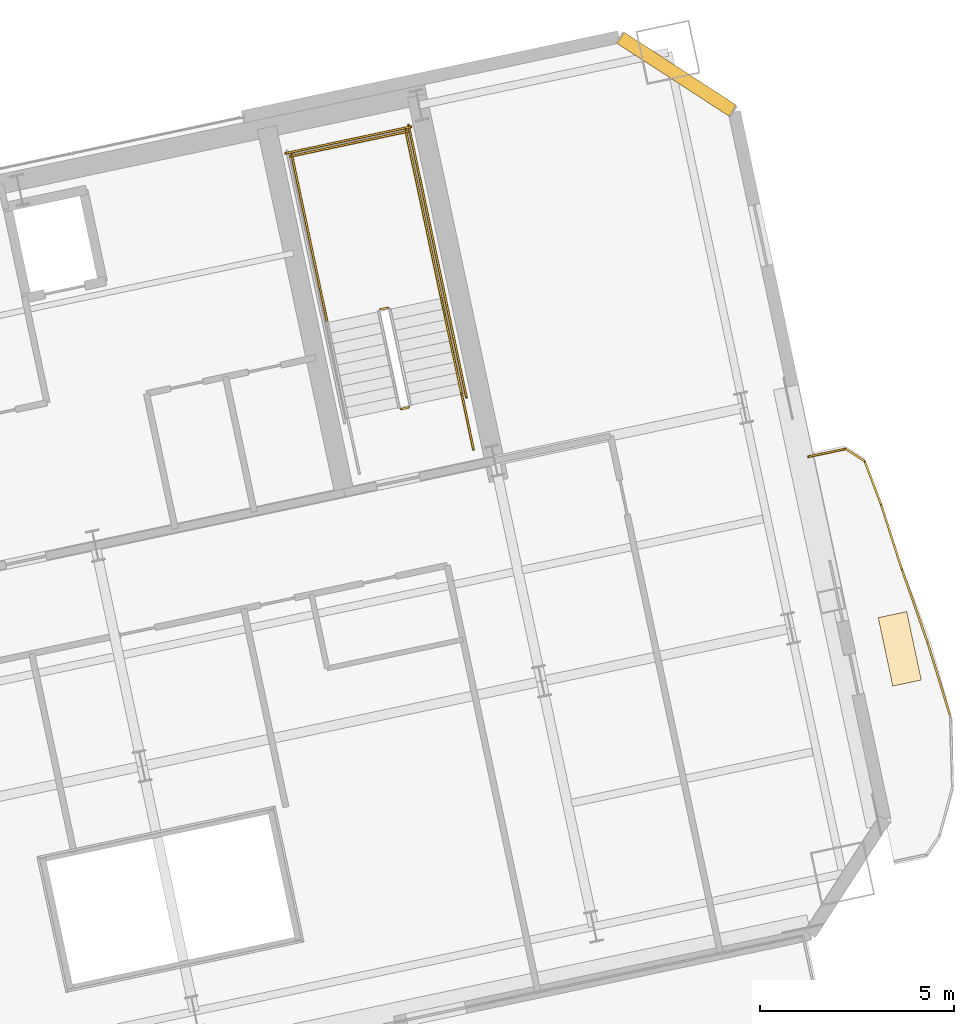
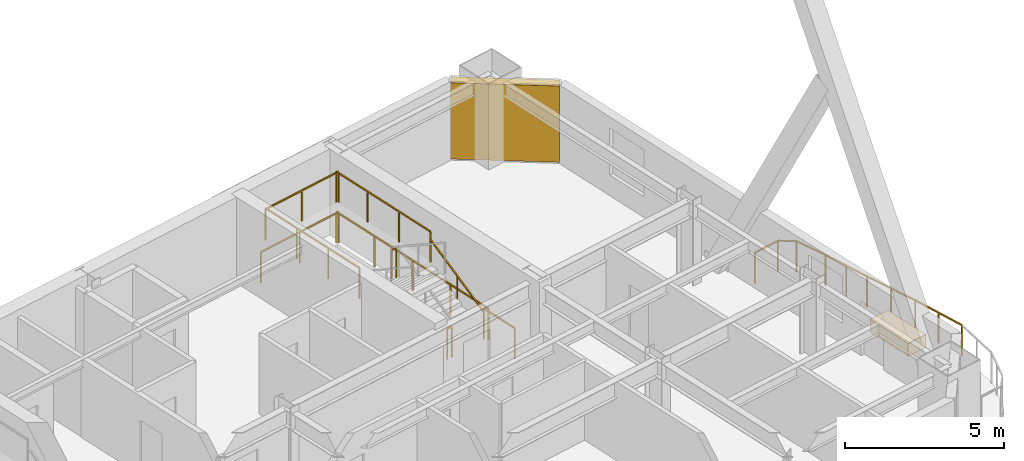
# One storey, part 22 of 22: 15 railings, 1 covering, 1 shading device.
"""IFC4 building model written with IfcOpenShell, lengths in metres."""

from ifc_helpers import new_model, si_unit, direction, frame, origin, origin_2d, place, context, subcontext, project, spatial, rectangle, extrude, material, layer, layer_set, type_object, element, save


model = new_model("IFC4")

# Units and contexts
model_context = context("Model", 3, precision=1e-05, world=origin(), true_north=direction((0.0, 1.0)))
body_context = subcontext(model_context, "Body", "Model", "MODEL_VIEW")
ifc_project = project(units=[si_unit("LENGTHUNIT", "METRE"), si_unit("AREAUNIT", "SQUARE_METRE"), si_unit("VOLUMEUNIT", "CUBIC_METRE"), si_unit("PLANEANGLEUNIT", "RADIAN"), si_unit("MASSUNIT", "GRAM", prefix="KILO")], contexts=[model_context])

# Site, building, storey
site_placement = place(None, origin())
site = spatial("IfcSite", under=ifc_project, at=site_placement, CompositionType="ELEMENT")
building_placement = place(site_placement, origin())
building = spatial("IfcBuilding", under=site, at=building_placement, Name="Haevon Station Towers", CompositionType="ELEMENT")
storey_placement = place(building_placement, frame((0.0, 0.0, 113.10009765625)))
storey = spatial("IfcBuildingStorey", under=building, at=storey_placement, Name="L30", CompositionType="ELEMENT", Elevation=113.10009765625)

# Railings
ifc_material_1 = material(Name="Steel S355", Category="steel")
railing_type_1 = type_object("IfcRailingType", Name="GRD-EXT1200", PredefinedType="GUARDRAIL", material=ifc_material_1)
railing_1_placement = place(storey_placement, frame((131.02490234375, 35.209716796875, 0.0)))
element("IfcRailing", 1, at=railing_1_placement, inside=storey, type_object=railing_type_1, Name="L30 Perimeter Guardrail 5", PredefinedType="GUARDRAIL", context=body_context, shape_type="SweptSolid", body=[
    extrude(rectangle(XDim=0.048095703125, YDim=0.048095703125, at=origin_2d()), frame((0.0, 0.0, 1.17578125), z_axis=(-0.294188696484, 0.955747357235, 0.0), x_axis=(-0.955747357235, -0.294188696484, 0.0)), (0.0, 0.0, 1.0), 2.001708984375),
    extrude(rectangle(XDim=0.0419921875, YDim=0.0419921875, at=origin_2d()), origin(), (0.0, 0.0, 1.0), 1.15185546875),
    extrude(rectangle(XDim=0.0419921875, YDim=0.0419921875, at=origin_2d()), frame((-0.29443359375, 0.95654296875, 0.0)), (0.0, 0.0, 1.0), 1.15185546875),
    extrude(rectangle(XDim=0.0419921875, YDim=0.0419921875, at=origin_2d()), frame((-0.5888671875, 1.9130859375, 0.0)), (0.0, 0.0, 1.0), 1.15185546875),
])
railing_2_placement = place(storey_placement, frame((130.43603515625, 37.122802734375, 0.0)))
element("IfcRailing", 2, at=railing_2_placement, inside=storey, type_object=railing_type_1, Name="L30 Perimeter Guardrail 6", PredefinedType="GUARDRAIL", context=body_context, shape_type="SweptSolid", body=[
    extrude(rectangle(XDim=0.048095703125, YDim=0.048095703125, at=origin_2d()), frame((0.0, 0.0, 1.17578125), z_axis=(-0.330838529776, 0.943687377904, 0.0), x_axis=(-0.943687377904, -0.330838529776, 0.0)), (0.0, 0.0, 1.0), 2.0048828125),
    extrude(rectangle(XDim=0.0419921875, YDim=0.0419921875, at=origin_2d()), origin(), (0.0, 0.0, 1.0), 1.15185546875),
    extrude(rectangle(XDim=0.0419921875, YDim=0.0419921875, at=origin_2d()), frame((-0.33154296875, 0.946044921875, 0.0)), (0.0, 0.0, 1.0), 1.15185546875),
    extrude(rectangle(XDim=0.0419921875, YDim=0.0419921875, at=origin_2d()), frame((-0.663330078125, 1.89208984375, 0.0)), (0.0, 0.0, 1.0), 1.15185546875),
])
railing_3_placement = place(storey_placement, frame((129.772705078125, 39.014892578125, 0.0)))
element("IfcRailing", 3, at=railing_3_placement, inside=storey, type_object=railing_type_1, Name="L30 Perimeter Guardrail 7", PredefinedType="GUARDRAIL", context=body_context, shape_type="SweptSolid", body=[
    extrude(rectangle(XDim=0.048095703125, YDim=0.048095703125, at=origin_2d()), frame((0.0, 0.0, 1.17578125), z_axis=(-0.305087966058, 0.952324174305, 0.0), x_axis=(-0.952324174305, -0.305087966058, 0.0)), (0.0, 0.0, 1.0), 1.7587890625),
    extrude(rectangle(XDim=0.0419921875, YDim=0.0419921875, at=origin_2d()), origin(), (0.0, 0.0, 1.0), 1.15185546875),
    extrude(rectangle(XDim=0.0419921875, YDim=0.0419921875, at=origin_2d()), frame((-0.268310546875, 0.83740234375, 0.0)), (0.0, 0.0, 1.0), 1.15185546875),
    extrude(rectangle(XDim=0.0419921875, YDim=0.0419921875, at=origin_2d()), frame((-0.53662109375, 1.675048828125, 0.0)), (0.0, 0.0, 1.0), 1.15185546875),
])
railing_4_placement = place(storey_placement, frame((129.236083984375, 40.68994140625, 0.0)))
element("IfcRailing", 4, at=railing_4_placement, inside=storey, type_object=railing_type_1, Name="L30 Perimeter Guardrail 8", PredefinedType="GUARDRAIL", context=body_context, shape_type="SweptSolid", body=[
    extrude(rectangle(XDim=0.048095703125, YDim=0.048095703125, at=origin_2d()), frame((0.0, 0.0, 1.17578125), z_axis=(-0.353653196447, 0.935376617541, 0.0), x_axis=(-0.935376617541, -0.353653196447, 0.0)), (0.0, 0.0, 1.0), 1.183837890625),
    extrude(rectangle(XDim=0.0419921875, YDim=0.0419921875, at=origin_2d()), origin(), (0.0, 0.0, 1.0), 1.15185546875),
    extrude(rectangle(XDim=0.0419921875, YDim=0.0419921875, at=origin_2d()), frame((-0.418701171875, 1.107421875, 0.0)), (0.0, 0.0, 1.0), 1.15185546875),
])
railing_5_placement = place(storey_placement, frame((128.8173828125, 41.79736328125, 0.0)))
element("IfcRailing", 5, at=railing_5_placement, inside=storey, type_object=railing_type_1, Name="L30 Perimeter Guardrail 9", PredefinedType="GUARDRAIL", context=body_context, shape_type="SweptSolid", body=[
    extrude(rectangle(XDim=0.048095703125, YDim=0.048095703125, at=origin_2d()), frame((0.0, 0.0, 1.17578125), z_axis=(-0.841436167657, 0.540356526525, 0.0), x_axis=(-0.540356526525, -0.841436167657, 0.0)), (0.0, 0.0, 1.0), 0.584716796875),
    extrude(rectangle(XDim=0.0419921875, YDim=0.0419921875, at=origin_2d()), origin(), (0.0, 0.0, 1.0), 1.15185546875),
    extrude(rectangle(XDim=0.0419921875, YDim=0.0419921875, at=origin_2d()), frame((-0.491943359375, 0.31591796875, 0.0)), (0.0, 0.0, 1.0), 1.15185546875),
])
railing_6_placement = place(storey_placement, frame((128.325439453125, 42.11328125, 0.0)))
element("IfcRailing", 6, at=railing_6_placement, inside=storey, type_object=railing_type_1, Name="L30 Perimeter Guardrail 10", PredefinedType="GUARDRAIL", context=body_context, shape_type="SweptSolid", body=[
    extrude(rectangle(XDim=0.048095703125, YDim=0.048095703125, at=origin_2d()), frame((0.0, 0.0, 1.17578125), z_axis=(-0.978565730841, -0.205934723695, 0.0), x_axis=(0.205934723695, -0.978565730841, 0.0)), (0.0, 0.0, 1.0), 0.974609375),
    extrude(rectangle(XDim=0.0419921875, YDim=0.0419921875, at=origin_2d()), origin(), (0.0, 0.0, 1.0), 1.15185546875),
    extrude(rectangle(XDim=0.0419921875, YDim=0.0419921875, at=origin_2d()), frame((-0.95361328125, -0.20068359375, 0.0)), (0.0, 0.0, 1.0), 1.15185546875),
])
railing_type_2 = type_object("IfcRailingType", Name="GRD-STR1200", PredefinedType="GUARDRAIL", material=ifc_material_1)
railing_7_placement = place(storey_placement, frame((116.54541015625, 45.7431640625, 1.64990234375)))
element("IfcRailing", 7, at=railing_7_placement, inside=storey, type_object=railing_type_2, Name="L30 ST4 Stair Guard 2", PredefinedType="GUARDRAIL", context=body_context, shape_type="SweptSolid", body=[
    extrude(rectangle(XDim=0.048095703125, YDim=0.048095703125, at=origin_2d()), frame((0.0, 0.0, 1.17578125), z_axis=(-0.97826412705, -0.207362720198, 0.0), x_axis=(0.207362720198, -0.97826412705, 0.0)), (0.0, 0.0, 1.0), 0.2001953125),
    extrude(rectangle(XDim=0.0419921875, YDim=0.0419921875, at=origin_2d()), origin(), (0.0, 0.0, 1.0), 1.15185546875),
    extrude(rectangle(XDim=0.0419921875, YDim=0.0419921875, at=origin_2d()), frame((-0.19580078125, -0.04150390625, 0.0)), (0.0, 0.0, 1.0), 1.15185546875),
])
railing_8_placement = place(storey_placement, frame((117.925048828125, 45.9853515625, 1.64990234375)))
element("IfcRailing", 8, at=railing_8_placement, inside=storey, type_object=railing_type_2, Name="L30 ST4 Stair Guard 3", PredefinedType="GUARDRAIL", context=body_context, shape_type="SweptSolid", body=[
    extrude(rectangle(XDim=0.048095703125, YDim=0.048095703125, at=origin_2d()), frame((0.0, 0.0, 1.17578125), z_axis=(-0.207876551949, 0.978155069071, 0.0), x_axis=(-0.978155069071, -0.207876551949, 0.0)), (0.0, 0.0, 1.0), 4.429931640625),
    extrude(rectangle(XDim=0.0419921875, YDim=0.0419921875, at=origin_2d()), origin(), (0.0, 0.0, 1.0), 1.15185546875),
    extrude(rectangle(XDim=0.0419921875, YDim=0.0419921875, at=origin_2d()), frame((-0.306884765625, 1.4443359375, 0.0)), (0.0, 0.0, 1.0), 1.15185546875),
    extrude(rectangle(XDim=0.0419921875, YDim=0.0419921875, at=origin_2d()), frame((-0.614013671875, 2.888916015625, 0.0)), (0.0, 0.0, 1.0), 1.15185546875),
    extrude(rectangle(XDim=0.0419921875, YDim=0.0419921875, at=origin_2d()), frame((-0.9208984375, 4.333251953125, 0.0)), (0.0, 0.0, 1.0), 1.15185546875),
])
railing_9_placement = place(storey_placement, frame((114.99072265625, 45.361572265625, 1.64990234375)))
element("IfcRailing", 9, at=railing_9_placement, inside=storey, type_object=railing_type_2, Name="L30 ST4 Stair Guard 4", PredefinedType="GUARDRAIL", context=body_context, shape_type="SweptSolid", body=[
    extrude(rectangle(XDim=0.048095703125, YDim=0.048095703125, at=origin_2d()), frame((0.0, 0.0, 1.17578125), z_axis=(-0.207929280007, 0.978143861871, 0.0), x_axis=(-0.978143861871, -0.207929280007, 0.0)), (0.0, 0.0, 1.0), 4.43017578125),
    extrude(rectangle(XDim=0.0419921875, YDim=0.0419921875, at=origin_2d()), origin(), (0.0, 0.0, 1.0), 1.15185546875),
    extrude(rectangle(XDim=0.0419921875, YDim=0.0419921875, at=origin_2d()), frame((-0.30712890625, 1.4443359375, 0.0)), (0.0, 0.0, 1.0), 1.15185546875),
    extrude(rectangle(XDim=0.0419921875, YDim=0.0419921875, at=origin_2d()), frame((-0.614013671875, 2.888916015625, 0.0)), (0.0, 0.0, 1.0), 1.15185546875),
    extrude(rectangle(XDim=0.0419921875, YDim=0.0419921875, at=origin_2d()), frame((-0.921142578125, 4.333251953125, 0.0)), (0.0, 0.0, 1.0), 1.15185546875),
])
railing_10_placement = place(storey_placement, frame((117.0634765625, 50.280029296875, 1.64990234375)))
element("IfcRailing", 10, at=railing_10_placement, inside=storey, type_object=railing_type_2, Name="L30 ST4 Stair Guard 5", PredefinedType="GUARDRAIL", context=body_context, shape_type="SweptSolid", body=[
    extrude(rectangle(XDim=0.048095703125, YDim=0.048095703125, at=origin_2d()), frame((0.0, 0.0, 1.17578125), z_axis=(-0.978146839882, -0.207915270313, 0.0), x_axis=(0.207915270313, -0.978146839882, 0.0)), (0.0, 0.0, 1.0), 3.099853515625),
    extrude(rectangle(XDim=0.0419921875, YDim=0.0419921875, at=origin_2d()), origin(), (0.0, 0.0, 1.0), 1.15185546875),
    extrude(rectangle(XDim=0.0419921875, YDim=0.0419921875, at=origin_2d()), frame((-1.51611328125, -0.322265625, 0.0)), (0.0, 0.0, 1.0), 1.15185546875),
    extrude(rectangle(XDim=0.0419921875, YDim=0.0419921875, at=origin_2d()), frame((-3.0322265625, -0.64453125, 0.0)), (0.0, 0.0, 1.0), 1.15185546875),
])
railing_11_placement = place(storey_placement, frame((117.090087890625, 43.180419921875, 0.0)))
element("IfcRailing", 11, at=railing_11_placement, inside=storey, type_object=railing_type_2, Name="L30 ST4 Stair Guard 7", PredefinedType="GUARDRAIL", context=body_context, shape_type="SweptSolid", body=[
    extrude(rectangle(XDim=0.048095703125, YDim=0.048095703125, at=origin_2d()), frame((0.0, 0.0, 1.17578125), z_axis=(-0.978211583308, -0.207610448392, 0.0), x_axis=(0.207610448392, -0.978211583308, 0.0)), (0.0, 0.0, 1.0), 0.199951171875),
    extrude(rectangle(XDim=0.0419921875, YDim=0.0419921875, at=origin_2d()), origin(), (0.0, 0.0, 1.0), 1.15185546875),
    extrude(rectangle(XDim=0.0419921875, YDim=0.0419921875, at=origin_2d()), frame((-0.195556640625, -0.04150390625, 0.0)), (0.0, 0.0, 1.0), 1.15185546875),
])
railing_12_placement = place(storey_placement, frame((118.75048828125, 42.10205078125, 0.0)))
element("IfcRailing", 12, at=railing_12_placement, inside=storey, type_object=railing_type_2, Name="L30 ST4 Stair Guard 8", PredefinedType="GUARDRAIL", context=body_context, shape_type="SweptSolid", body=[
    extrude(rectangle(XDim=0.048095703125, YDim=0.048095703125, at=origin_2d()), frame((0.0, 0.0, 1.17578125), z_axis=(-0.207919161079, 0.978146012851, 0.0), x_axis=(-0.978146012851, -0.207919161079, 0.0)), (0.0, 0.0, 1.0), 1.4501953125),
    extrude(rectangle(XDim=0.0419921875, YDim=0.0419921875, at=origin_2d()), origin(), (0.0, 0.0, 1.0), 1.15185546875),
    extrude(rectangle(XDim=0.0419921875, YDim=0.0419921875, at=origin_2d()), frame((-0.301513671875, 1.41845703125, 0.0)), (0.0, 0.0, 1.0), 1.15185546875),
])
railing_13_placement = place(storey_placement, frame((118.567626953125, 43.443359375, 0.0)))
element("IfcRailing", 13, at=railing_13_placement, inside=storey, type_object=railing_type_2, Name="L30 ST4 Stair Guard 10", PredefinedType="GUARDRAIL", context=body_context, shape_type="SweptSolid", body=[
    extrude(rectangle(XDim=0.048095703125, YDim=0.048095703125, at=origin_2d()), frame((0.0, 0.0, 1.17578125), z_axis=(-0.207908168386, 0.978148349443, 0.0), x_axis=(-0.978148349443, -0.207908168386, 0.0)), (0.0, 0.0, 1.0), 7.150146484375),
    extrude(rectangle(XDim=0.0419921875, YDim=0.0419921875, at=origin_2d()), origin(), (0.0, 0.0, 1.0), 1.15185546875),
    extrude(rectangle(XDim=0.0419921875, YDim=0.0419921875, at=origin_2d()), frame((-0.37158203125, 1.74853515625, 0.0)), (0.0, 0.0, 1.0), 1.15185546875),
    extrude(rectangle(XDim=0.0419921875, YDim=0.0419921875, at=origin_2d()), frame((-0.7431640625, 3.4970703125, 0.0)), (0.0, 0.0, 1.0), 1.15185546875),
    extrude(rectangle(XDim=0.0419921875, YDim=0.0419921875, at=origin_2d()), frame((-1.114990234375, 5.245361328125, 0.0)), (0.0, 0.0, 1.0), 1.15185546875),
    extrude(rectangle(XDim=0.0419921875, YDim=0.0419921875, at=origin_2d()), frame((-1.486572265625, 6.993896484375, 0.0)), (0.0, 0.0, 1.0), 1.15185546875),
])
railing_14_placement = place(storey_placement, frame((117.140380859375, 50.398681640625, 0.0)))
element("IfcRailing", 14, at=railing_14_placement, inside=storey, type_object=railing_type_2, Name="L30 ST4 Stair Guard 12", PredefinedType="GUARDRAIL", context=body_context, shape_type="SweptSolid", body=[
    extrude(rectangle(XDim=0.048095703125, YDim=0.048095703125, at=origin_2d()), frame((0.0, 0.0, 1.17578125), z_axis=(-0.978135717418, -0.207967589567, 0.0), x_axis=(0.207967589567, -0.978135717418, 0.0)), (0.0, 0.0, 1.0), 3.300048828125),
    extrude(rectangle(XDim=0.0419921875, YDim=0.0419921875, at=origin_2d()), origin(), (0.0, 0.0, 1.0), 1.15185546875),
    extrude(rectangle(XDim=0.0419921875, YDim=0.0419921875, at=origin_2d()), frame((-1.61376953125, -0.34326171875, 0.0)), (0.0, 0.0, 1.0), 1.15185546875),
    extrude(rectangle(XDim=0.0419921875, YDim=0.0419921875, at=origin_2d()), frame((-3.227783203125, -0.686279296875, 0.0)), (0.0, 0.0, 1.0), 1.15185546875),
])
railing_type_3 = type_object("IfcRailingType", Name="HND-STR900", PredefinedType="HANDRAIL", material=ifc_material_1)
railing_15_placement = place(storey_placement, frame((118.448974609375, 43.5205078125, 0.164794921875)))
element("IfcRailing", 15, at=railing_15_placement, inside=storey, type_object=railing_type_3, Name="L30 ST4 Stair Handrail 1", PredefinedType="HANDRAIL", context=body_context, shape_type="SweptSolid", body=[
    extrude(rectangle(XDim=0.048095703125, YDim=0.048095703125, at=origin_2d()), frame((0.0, 0.0, 0.8759765625), z_axis=(-0.179121265225, 0.842687928106, 0.507732831485), x_axis=(-0.978147030254, -0.207914374695, 0.0)), (0.0, 0.0, 1.0), 2.925048828125),
    extrude(rectangle(XDim=0.0419921875, YDim=0.0419921875, at=origin_2d()), origin(), (0.0, 0.0, 1.0), 0.851806640625),
    extrude(rectangle(XDim=0.0419921875, YDim=0.0419921875, at=origin_2d()), frame((-0.261962890625, 1.232421875, 0.74267578125)), (0.0, 0.0, 1.0), 0.851806640625),
    extrude(rectangle(XDim=0.0419921875, YDim=0.0419921875, at=origin_2d()), frame((-0.52392578125, 2.46484375, 1.485107421875)), (0.0, 0.0, 1.0), 0.851806640625),
])

# Covering
ifc_material_2 = material(Name="Architectural planter GRC", Category="concrete")
ifc_layer_1 = layer(ifc_material_2, 0.550048828125)
ifc_layer_set_1 = layer_set([ifc_layer_1], Name="Architectural planter GRC")
covering_type = type_object("IfcCoveringType", Name="PLN-GRC550", PredefinedType="MOLDING", material=ifc_layer_set_1)
covering_placement = place(storey_placement, frame((129.71728515625, 36.969970703125, 0.0), z_axis=(0.0, 0.0, 1.0), x_axis=(0.978147600734, 0.207911690818, 0.0)))
element("IfcCovering", 16, at=covering_placement, inside=storey, type_object=covering_type, Name="Tower 2 L30 Scalloped Balcony PLANTER", PredefinedType="MOLDING", context=body_context, shape_type="SweptSolid", body=[
    extrude(rectangle(XDim=0.75, YDim=1.800048828125, at=origin_2d()), origin(), (0.0, 0.0, 1.0), 0.5),
])

# Shading device
ifc_material_3 = material(Name="Anodised aluminium 6063-T6", Category="aluminium")
ifc_layer_2 = layer(ifc_material_3, 0.139892578125)
ifc_layer_set_2 = layer_set([ifc_layer_2], Name="Anodised aluminium 6063-T6")
shading_device_type = type_object("IfcShadingDeviceType", Name="SHD-WIND-BAFFLE", PredefinedType="SHUTTER", material=ifc_layer_set_2)
shading_device_placement = place(storey_placement, frame((123.97900390625, 51.75, 0.0498046875), z_axis=(0.0, 0.0, 1.0), x_axis=(0.838670648839, -0.544638910449, 0.0)))
element("IfcShadingDevice", 17, at=shading_device_placement, inside=storey, type_object=shading_device_type, Name="Tower 2 L30 Wind-Corner Aerofoil Baffle NEC", PredefinedType="SHUTTER", context=body_context, shape_type="SweptSolid", body=[
    extrude(rectangle(XDim=3.435546875, YDim=0.340087890625, at=origin_2d()), origin(), (0.0, 0.0, 1.0), 2.929931640625),
])

save(model, "model.ifc")
